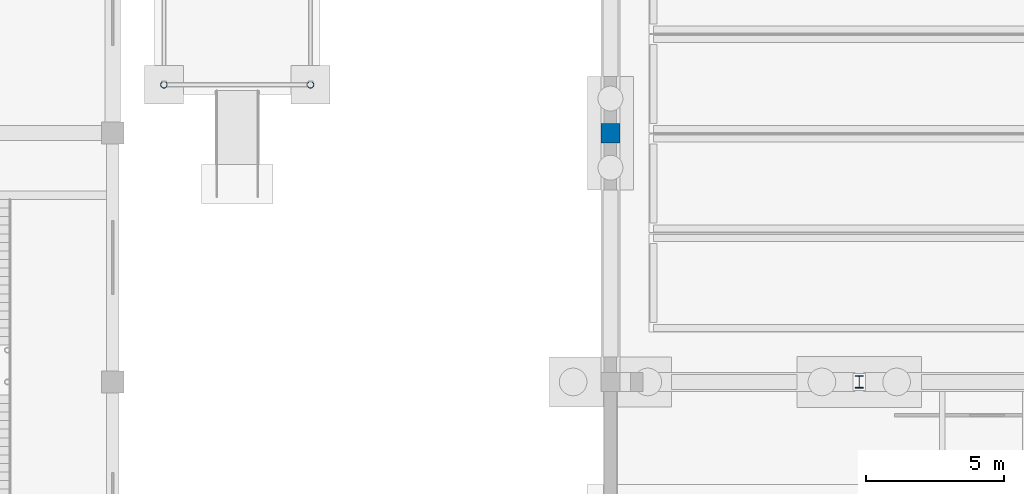
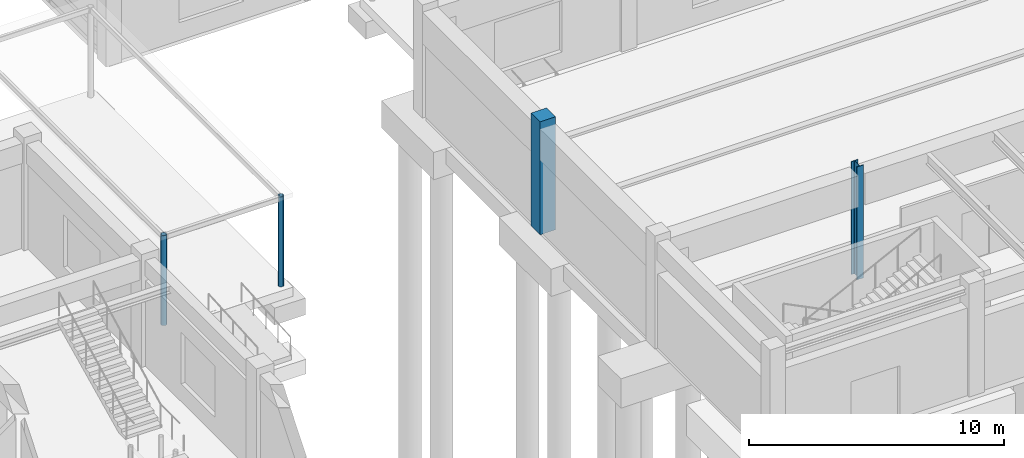
# One storey, part 6 of 76: 4 columns.
"""IFC4 building model written with IfcOpenShell, lengths in metres."""

from ifc_helpers import new_model, si_unit, direction, frame, origin, origin_2d, place, context, subcontext, project, spatial, rectangle, hollow_circle, i_section, extrude, material, material_profile, profile_set, type_object, element, save


model = new_model("IFC4")

# Units and contexts
model_context = context("Model", 3, precision=1e-05, world=origin(), true_north=direction((0.0, 1.0)))
body_context = subcontext(model_context, "Body", "Model", "MODEL_VIEW")
ifc_project = project(units=[si_unit("LENGTHUNIT", "METRE"), si_unit("AREAUNIT", "SQUARE_METRE"), si_unit("VOLUMEUNIT", "CUBIC_METRE"), si_unit("PLANEANGLEUNIT", "RADIAN"), si_unit("MASSUNIT", "GRAM", prefix="KILO")], contexts=[model_context])

# Site, building, storey
site_placement = place(None, origin())
site = spatial("IfcSite", under=ifc_project, at=site_placement, CompositionType="ELEMENT")
building_placement = place(site_placement, origin())
building = spatial("IfcBuilding", under=site, at=building_placement, Name="Bozkorgan Art Gallery", CompositionType="ELEMENT")
storey_placement = place(building_placement, origin())
storey = spatial("IfcBuildingStorey", under=building, at=storey_placement, Name="L00", CompositionType="ELEMENT", Elevation=0.0)

# Columns
ifc_material_1 = material(Name="Concrete C40/50", Category="concrete")
ifc_material_profile_1 = material_profile(ifc_material_1, rectangle(XDim=0.699951171875, YDim=0.699951171875, at=origin_2d()), Name="RC 700x700")
ifc_profile_set_1 = profile_set([ifc_material_profile_1], Name="Concrete C40/50")
column_type_1 = type_object("IfcColumnType", Name="COLUMN-C-73", PredefinedType="COLUMN", material=ifc_profile_set_1)
column_1_placement = place(storey_placement, frame((83.0, 20.0, 0.0), z_axis=(0.0, 0.0, 1.0), x_axis=(1.0, 0.0, 0.0)))
element("IfcColumn", 1, at=column_1_placement, inside=storey, type_object=column_type_1, Name="V3 L00 column (83.0, 20.0)", PredefinedType="COLUMN", context=body_context, shape_type="SweptSolid", body=[
    extrude(rectangle(XDim=0.699951171875, YDim=0.699951171875, at=origin_2d()), origin(), (0.0, 0.0, 1.0), 5.39990234375),
])
ifc_material_2 = material(Name="Steel S355J2", Category="steel")
ifc_material_profile_2 = material_profile(ifc_material_2, i_section(OverallWidth=0.300048828125, OverallDepth=0.449951171875, WebThickness=0.013916015625, FlangeThickness=0.02587890625, FilletRadius=0.027099609375, at=origin_2d()), Name="HEB 450")
ifc_profile_set_2 = profile_set([ifc_material_profile_2], Name="Steel S355J2")
column_type_2 = type_object("IfcColumnType", Name="COLUMN-C-92", PredefinedType="COLUMN", material=ifc_profile_set_2)
column_2_placement = place(storey_placement, frame((92.0, 11.0, 0.0), z_axis=(0.0, 0.0, 1.0), x_axis=(1.0, 0.0, 0.0)))
element("IfcColumn", 2, at=column_2_placement, inside=storey, type_object=column_type_2, Name="V3 L00 column (92.0, 11.0)", PredefinedType="COLUMN", context=body_context, shape_type="SweptSolid", body=[
    extrude(i_section(OverallWidth=0.300048828125, OverallDepth=0.449951171875, WebThickness=0.013916015625, FlangeThickness=0.02587890625, FilletRadius=0.027099609375, at=origin_2d()), origin(), (0.0, 0.0, 1.0), 5.39990234375),
])
ifc_material_profile_3 = material_profile(ifc_material_2, hollow_circle(Radius=0.122314453125, WallThickness=0.010009765625, at=origin_2d()), Name="CHS 244.5x10")
ifc_profile_set_3 = profile_set([ifc_material_profile_3], Name="Steel S355J2")
column_type_3 = type_object("IfcColumnType", Name="COLUMN-WC-87", PredefinedType="COLUMN", material=ifc_profile_set_3)
for number, where, z_axis, x_axis, name in (
    (3, (66.85009765625, 21.75, 0.0), (0.0, 0.0, 1.0), (1.0, 0.0, 0.0), "West Water-Court Covered Walk column 1"),
    (4, (72.14990234375, 21.75, 0.0), (0.0, 0.0, 1.0), (1.0, 0.0, 0.0), "West Water-Court Covered Walk column 2"),
):
    element("IfcColumn", number, at=place(storey_placement, frame(where, z_axis=z_axis, x_axis=x_axis)), inside=storey, type_object=column_type_3, Name=name, PredefinedType="COLUMN", context=body_context, shape_type="SweptSolid", body=[
        extrude(hollow_circle(Radius=0.122314453125, WallThickness=0.010009765625, at=origin_2d()), origin(), (0.0, 0.0, 1.0), 4.300048828125),
    ])

save(model, "model.ifc")
